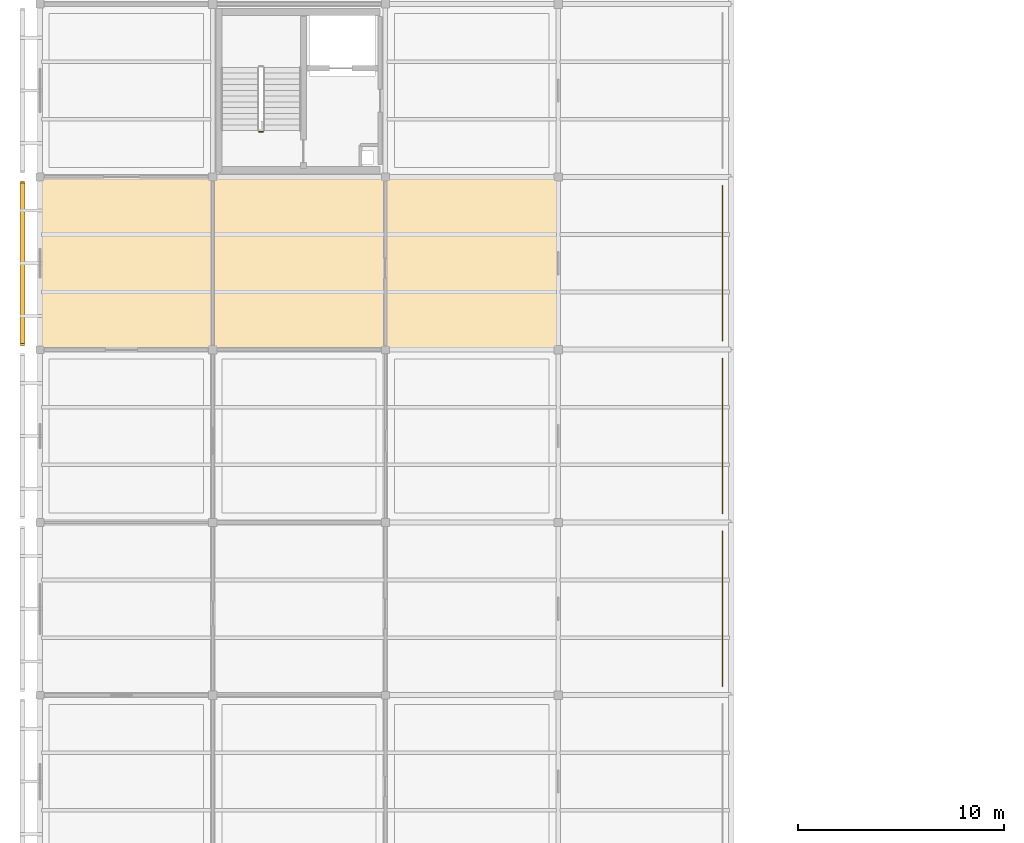
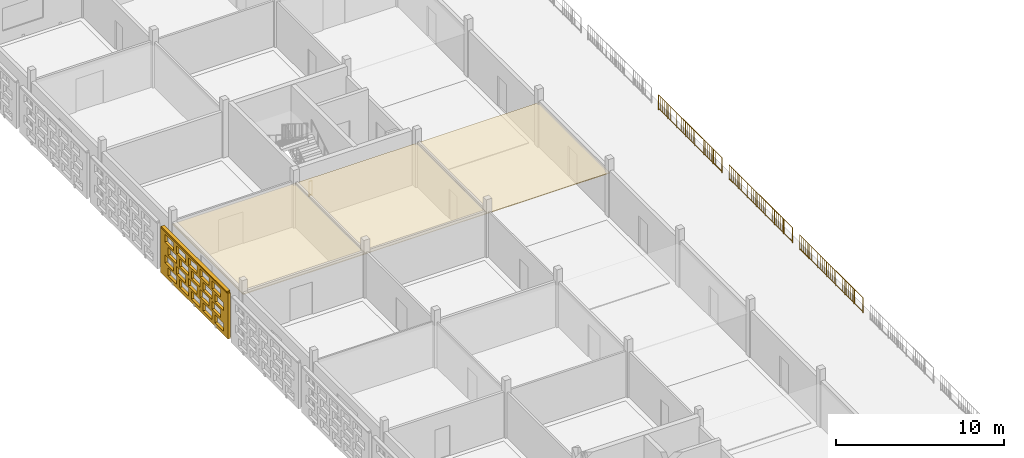
# One storey, part 27 of 31: 4 coverings, 4 railings, 1 shading device, 20 openings.
"""IFC4 building model written with IfcOpenShell, lengths in metres."""

from ifc_helpers import new_model, si_unit, direction, frame, frame_2d, origin, origin_2d, place, context, subcontext, project, spatial, rectangle, circle, extrude, material, layer, layer_set, type_object, element, save


model = new_model("IFC4")

# Units and contexts
model_context = context("Model", 3, precision=1e-05, world=origin(), true_north=direction((0.0, 1.0)))
body_context = subcontext(model_context, "Body", "Model", "MODEL_VIEW")
ifc_project = project(units=[si_unit("LENGTHUNIT", "METRE"), si_unit("AREAUNIT", "SQUARE_METRE"), si_unit("VOLUMEUNIT", "CUBIC_METRE"), si_unit("PLANEANGLEUNIT", "RADIAN"), si_unit("MASSUNIT", "GRAM", prefix="KILO")], contexts=[model_context])

# Site, building, storey
site_placement = place(None, origin())
site = spatial("IfcSite", under=ifc_project, at=site_placement, CompositionType="ELEMENT")
building_placement = place(site_placement, origin())
building = spatial("IfcBuilding", under=site, at=building_placement, Name="Varnapada Polytechnic", CompositionType="ELEMENT")
storey_placement = place(building_placement, frame((0.0, 0.0, 22.199951171875)))
storey = spatial("IfcBuildingStorey", under=building, at=storey_placement, Name="L05", CompositionType="ELEMENT", Elevation=22.199951171875)

# Railing
ifc_material_1 = material(Name="Brushed Stainless Steel 316", Category="steel")
railing_type_1 = type_object("IfcRailingType", Name="Stair Well Guard Rail SGR-01", PredefinedType="BALUSTRADE", material=ifc_material_1)
railing_1_placement = place(storey_placement, frame((10.85009765625, 103.0, 0.0)))
element("IfcRailing", 1, at=railing_1_placement, inside=storey, type_object=railing_type_1, Name="L05 ST-1 stair guard 4", PredefinedType="BALUSTRADE", context=body_context, shape_type="SweptSolid", body=[
    extrude(circle(Radius=0.02392578125, at=origin_2d()), frame((0.0, 0.0, 1.09619140625), z_axis=(-1.0, 0.0, 0.0), x_axis=(0.0, -1.0, 0.0)), (0.0, 0.0, 1.0), 0.2001953125),
    extrude(circle(Radius=0.02392578125, at=origin_2d()), frame((0.0, 0.0, 0.10009765625), z_axis=(-1.0, 0.0, 0.0), x_axis=(0.0, -1.0, 0.0)), (0.0, 0.0, 1.0), 0.2001953125),
    extrude(circle(Radius=0.02099609375, at=origin_2d()), origin(), (0.0, 0.0, 1.0), 1.072021484375),
    extrude(circle(Radius=0.02099609375, at=origin_2d()), frame((-0.2001953125, 0.0, 0.0)), (0.0, 0.0, 1.0), 1.072021484375),
])

# Coverings
ifc_material_2 = material(Name="Mineral Fibre Acoustic Ceiling Tile")
ifc_layer_1 = layer(ifc_material_2, 0.0400390625)
ifc_layer_set_1 = layer_set([ifc_layer_1], Name="Mineral Fibre Acoustic Ceiling Tile")
covering_type_1 = type_object("IfcCoveringType", Name="Suspended Ceiling CLG-01", PredefinedType="CEILING", material=ifc_layer_set_1)
covering_1_placement = place(storey_placement, frame((12.60009765625, 96.60009765625, 3.030029296875), z_axis=(0.0, 0.0, 1.0), x_axis=(1.0, 0.0, 0.0)))
element("IfcCovering", 2, at=covering_1_placement, inside=storey, type_object=covering_type_1, Name="L05 suspended acoustic ceiling (2,12)", PredefinedType="CEILING", context=body_context, shape_type="SweptSolid", body=[
    extrude(rectangle(XDim=8.419921875, YDim=8.419921875, at=origin_2d()), origin(), (0.0, 0.0, 1.0), 0.0400390625),
])
ifc_material_3 = material(Name="Perforated Timber Slatted Baffle Ceiling", Category="wood")
ifc_layer_2 = layer(ifc_material_3, 0.050048828125)
ifc_layer_set_2 = layer_set([ifc_layer_2], Name="Perforated Timber Slatted Baffle Ceiling")
covering_type_2 = type_object("IfcCoveringType", Name="Suspended Ceiling CLG-02", PredefinedType="CEILING", material=ifc_layer_set_2)
covering_2_placement = place(storey_placement, frame((21.0, 96.60009765625, 3.02490234375), z_axis=(0.0, 0.0, 1.0), x_axis=(1.0, 0.0, 0.0)))
element("IfcCovering", 3, at=covering_2_placement, inside=storey, type_object=covering_type_2, Name="L05 suspended acoustic ceiling (3,12)", PredefinedType="CEILING", context=body_context, shape_type="SweptSolid", body=[
    extrude(rectangle(XDim=8.419921875, YDim=8.419921875, at=origin_2d()), origin(), (0.0, 0.0, 1.0), 0.050048828125),
])
ifc_material_4 = material(Name="Deep Acoustic Auditorium Cloud Baffle")
ifc_layer_3 = layer(ifc_material_4, 0.06494140625)
ifc_layer_set_3 = layer_set([ifc_layer_3], Name="Deep Acoustic Auditorium Cloud Baffle")
covering_type_3 = type_object("IfcCoveringType", Name="Suspended Ceiling CLG-07", PredefinedType="CEILING", material=ifc_layer_set_3)
covering_3_placement = place(storey_placement, frame((4.199951171875, 96.60009765625, 3.017578125), z_axis=(0.0, 0.0, 1.0), x_axis=(1.0, 0.0, 0.0)))
element("IfcCovering", 4, at=covering_3_placement, inside=storey, type_object=covering_type_3, Name="L05 suspended acoustic ceiling (1,12)", PredefinedType="CEILING", context=body_context, shape_type="SweptSolid", body=[
    extrude(rectangle(XDim=8.419921875, YDim=8.419921875, at=origin_2d()), origin(), (0.0, 0.0, 1.0), 0.06494140625),
])

# Railings
ifc_material_5 = material(Name="Painted galvanized steel", Category="steel")
railing_type_2 = type_object("IfcRailingType", Name="Terrace Guard Rail GRD-01", PredefinedType="BALUSTRADE", material=ifc_material_5)
railing_2_placement = place(storey_placement, frame((33.179931640625, 76.02001953125, 0.0)))
element("IfcRailing", 5, at=railing_2_placement, inside=storey, type_object=railing_type_2, Name="L05 terrace perimeter guard rail 4", PredefinedType="BALUSTRADE", context=body_context, shape_type="SweptSolid", body=[
    extrude(circle(Radius=0.02392578125, at=origin_2d()), frame((0.0, 0.0, 1.09619140625), z_axis=(0.0, 1.0, 0.0), x_axis=(-1.0, 0.0, 0.0)), (0.0, 0.0, 1.0), 7.56005859375),
    extrude(circle(Radius=0.02392578125, at=origin_2d()), frame((0.0, 0.0, 0.10009765625), z_axis=(0.0, 1.0, 0.0), x_axis=(-1.0, 0.0, 0.0)), (0.0, 0.0, 1.0), 7.56005859375),
    extrude(circle(Radius=0.02099609375, at=origin_2d()), origin(), (0.0, 0.0, 1.0), 1.072021484375),
    extrude(circle(Radius=0.02099609375, at=origin_2d()), frame((0.0, 1.080078125, 0.0)), (0.0, 0.0, 1.0), 1.072021484375),
    extrude(circle(Radius=0.02099609375, at=origin_2d()), frame((0.0, 2.159912109375, 0.0)), (0.0, 0.0, 1.0), 1.072021484375),
    extrude(circle(Radius=0.02099609375, at=origin_2d()), frame((0.0, 3.239990234375, 0.0)), (0.0, 0.0, 1.0), 1.072021484375),
    extrude(circle(Radius=0.02099609375, at=origin_2d()), frame((0.0, 4.320068359375, 0.0)), (0.0, 0.0, 1.0), 1.072021484375),
    extrude(circle(Radius=0.02099609375, at=origin_2d()), frame((0.0, 5.400146484375, 0.0)), (0.0, 0.0, 1.0), 1.072021484375),
    extrude(circle(Radius=0.02099609375, at=origin_2d()), frame((0.0, 6.47998046875, 0.0)), (0.0, 0.0, 1.0), 1.072021484375),
    extrude(circle(Radius=0.02099609375, at=origin_2d()), frame((0.0, 7.56005859375, 0.0)), (0.0, 0.0, 1.0), 1.072021484375),
    extrude(circle(Radius=0.010009765625, at=origin_2d()), frame((0.0, 0.243896484375, 0.10009765625)), (0.0, 0.0, 1.0), 0.971923828125),
    extrude(circle(Radius=0.010009765625, at=origin_2d()), frame((0.0, 0.48779296875, 0.10009765625)), (0.0, 0.0, 1.0), 0.971923828125),
    extrude(circle(Radius=0.010009765625, at=origin_2d()), frame((0.0, 0.731689453125, 0.10009765625)), (0.0, 0.0, 1.0), 0.971923828125),
    extrude(circle(Radius=0.010009765625, at=origin_2d()), frame((0.0, 0.9755859375, 0.10009765625)), (0.0, 0.0, 1.0), 0.971923828125),
    extrude(circle(Radius=0.010009765625, at=origin_2d()), frame((0.0, 1.219482421875, 0.10009765625)), (0.0, 0.0, 1.0), 0.971923828125),
    extrude(circle(Radius=0.010009765625, at=origin_2d()), frame((0.0, 1.463134765625, 0.10009765625)), (0.0, 0.0, 1.0), 0.971923828125),
    extrude(circle(Radius=0.010009765625, at=origin_2d()), frame((0.0, 1.70703125, 0.10009765625)), (0.0, 0.0, 1.0), 0.971923828125),
    extrude(circle(Radius=0.010009765625, at=origin_2d()), frame((0.0, 1.950927734375, 0.10009765625)), (0.0, 0.0, 1.0), 0.971923828125),
    extrude(circle(Radius=0.010009765625, at=origin_2d()), frame((0.0, 2.19482421875, 0.10009765625)), (0.0, 0.0, 1.0), 0.971923828125),
    extrude(circle(Radius=0.010009765625, at=origin_2d()), frame((0.0, 2.438720703125, 0.10009765625)), (0.0, 0.0, 1.0), 0.971923828125),
    extrude(circle(Radius=0.010009765625, at=origin_2d()), frame((0.0, 2.6826171875, 0.10009765625)), (0.0, 0.0, 1.0), 0.971923828125),
    extrude(circle(Radius=0.010009765625, at=origin_2d()), frame((0.0, 2.926513671875, 0.10009765625)), (0.0, 0.0, 1.0), 0.971923828125),
    extrude(circle(Radius=0.010009765625, at=origin_2d()), frame((0.0, 3.17041015625, 0.10009765625)), (0.0, 0.0, 1.0), 0.971923828125),
    extrude(circle(Radius=0.010009765625, at=origin_2d()), frame((0.0, 3.414306640625, 0.10009765625)), (0.0, 0.0, 1.0), 0.971923828125),
    extrude(circle(Radius=0.010009765625, at=origin_2d()), frame((0.0, 3.658203125, 0.10009765625)), (0.0, 0.0, 1.0), 0.971923828125),
    extrude(circle(Radius=0.010009765625, at=origin_2d()), frame((0.0, 3.90185546875, 0.10009765625)), (0.0, 0.0, 1.0), 0.971923828125),
    extrude(circle(Radius=0.010009765625, at=origin_2d()), frame((0.0, 4.145751953125, 0.10009765625)), (0.0, 0.0, 1.0), 0.971923828125),
    extrude(circle(Radius=0.010009765625, at=origin_2d()), frame((0.0, 4.3896484375, 0.10009765625)), (0.0, 0.0, 1.0), 0.971923828125),
    extrude(circle(Radius=0.010009765625, at=origin_2d()), frame((0.0, 4.633544921875, 0.10009765625)), (0.0, 0.0, 1.0), 0.971923828125),
    extrude(circle(Radius=0.010009765625, at=origin_2d()), frame((0.0, 4.87744140625, 0.10009765625)), (0.0, 0.0, 1.0), 0.971923828125),
    extrude(circle(Radius=0.010009765625, at=origin_2d()), frame((0.0, 5.121337890625, 0.10009765625)), (0.0, 0.0, 1.0), 0.971923828125),
    extrude(circle(Radius=0.010009765625, at=origin_2d()), frame((0.0, 5.365234375, 0.10009765625)), (0.0, 0.0, 1.0), 0.971923828125),
    extrude(circle(Radius=0.010009765625, at=origin_2d()), frame((0.0, 5.609130859375, 0.10009765625)), (0.0, 0.0, 1.0), 0.971923828125),
    extrude(circle(Radius=0.010009765625, at=origin_2d()), frame((0.0, 5.85302734375, 0.10009765625)), (0.0, 0.0, 1.0), 0.971923828125),
    extrude(circle(Radius=0.010009765625, at=origin_2d()), frame((0.0, 6.096923828125, 0.10009765625)), (0.0, 0.0, 1.0), 0.971923828125),
    extrude(circle(Radius=0.010009765625, at=origin_2d()), frame((0.0, 6.340576171875, 0.10009765625)), (0.0, 0.0, 1.0), 0.971923828125),
    extrude(circle(Radius=0.010009765625, at=origin_2d()), frame((0.0, 6.58447265625, 0.10009765625)), (0.0, 0.0, 1.0), 0.971923828125),
    extrude(circle(Radius=0.010009765625, at=origin_2d()), frame((0.0, 6.828369140625, 0.10009765625)), (0.0, 0.0, 1.0), 0.971923828125),
    extrude(circle(Radius=0.010009765625, at=origin_2d()), frame((0.0, 7.072265625, 0.10009765625)), (0.0, 0.0, 1.0), 0.971923828125),
    extrude(circle(Radius=0.010009765625, at=origin_2d()), frame((0.0, 7.316162109375, 0.10009765625)), (0.0, 0.0, 1.0), 0.971923828125),
])
railing_3_placement = place(storey_placement, frame((33.179931640625, 84.419921875, 0.0)))
element("IfcRailing", 6, at=railing_3_placement, inside=storey, type_object=railing_type_2, Name="L05 terrace perimeter guard rail 5", PredefinedType="BALUSTRADE", context=body_context, shape_type="SweptSolid", body=[
    extrude(circle(Radius=0.02392578125, at=origin_2d()), frame((0.0, 0.0, 1.09619140625), z_axis=(0.0, 1.0, 0.0), x_axis=(-1.0, 0.0, 0.0)), (0.0, 0.0, 1.0), 7.56005859375),
    extrude(circle(Radius=0.02392578125, at=origin_2d()), frame((0.0, 0.0, 0.10009765625), z_axis=(0.0, 1.0, 0.0), x_axis=(-1.0, 0.0, 0.0)), (0.0, 0.0, 1.0), 7.56005859375),
    extrude(circle(Radius=0.02099609375, at=origin_2d()), origin(), (0.0, 0.0, 1.0), 1.072021484375),
    extrude(circle(Radius=0.02099609375, at=origin_2d()), frame((0.0, 1.080078125, 0.0)), (0.0, 0.0, 1.0), 1.072021484375),
    extrude(circle(Radius=0.02099609375, at=origin_2d()), frame((0.0, 2.159912109375, 0.0)), (0.0, 0.0, 1.0), 1.072021484375),
    extrude(circle(Radius=0.02099609375, at=origin_2d()), frame((0.0, 3.239990234375, 0.0)), (0.0, 0.0, 1.0), 1.072021484375),
    extrude(circle(Radius=0.02099609375, at=origin_2d()), frame((0.0, 4.320068359375, 0.0)), (0.0, 0.0, 1.0), 1.072021484375),
    extrude(circle(Radius=0.02099609375, at=origin_2d()), frame((0.0, 5.400146484375, 0.0)), (0.0, 0.0, 1.0), 1.072021484375),
    extrude(circle(Radius=0.02099609375, at=origin_2d()), frame((0.0, 6.47998046875, 0.0)), (0.0, 0.0, 1.0), 1.072021484375),
    extrude(circle(Radius=0.02099609375, at=origin_2d()), frame((0.0, 7.56005859375, 0.0)), (0.0, 0.0, 1.0), 1.072021484375),
    extrude(circle(Radius=0.010009765625, at=origin_2d()), frame((0.0, 0.243896484375, 0.10009765625)), (0.0, 0.0, 1.0), 0.971923828125),
    extrude(circle(Radius=0.010009765625, at=origin_2d()), frame((0.0, 0.48779296875, 0.10009765625)), (0.0, 0.0, 1.0), 0.971923828125),
    extrude(circle(Radius=0.010009765625, at=origin_2d()), frame((0.0, 0.731689453125, 0.10009765625)), (0.0, 0.0, 1.0), 0.971923828125),
    extrude(circle(Radius=0.010009765625, at=origin_2d()), frame((0.0, 0.9755859375, 0.10009765625)), (0.0, 0.0, 1.0), 0.971923828125),
    extrude(circle(Radius=0.010009765625, at=origin_2d()), frame((0.0, 1.219482421875, 0.10009765625)), (0.0, 0.0, 1.0), 0.971923828125),
    extrude(circle(Radius=0.010009765625, at=origin_2d()), frame((0.0, 1.463134765625, 0.10009765625)), (0.0, 0.0, 1.0), 0.971923828125),
    extrude(circle(Radius=0.010009765625, at=origin_2d()), frame((0.0, 1.70703125, 0.10009765625)), (0.0, 0.0, 1.0), 0.971923828125),
    extrude(circle(Radius=0.010009765625, at=origin_2d()), frame((0.0, 1.950927734375, 0.10009765625)), (0.0, 0.0, 1.0), 0.971923828125),
    extrude(circle(Radius=0.010009765625, at=origin_2d()), frame((0.0, 2.19482421875, 0.10009765625)), (0.0, 0.0, 1.0), 0.971923828125),
    extrude(circle(Radius=0.010009765625, at=origin_2d()), frame((0.0, 2.438720703125, 0.10009765625)), (0.0, 0.0, 1.0), 0.971923828125),
    extrude(circle(Radius=0.010009765625, at=origin_2d()), frame((0.0, 2.6826171875, 0.10009765625)), (0.0, 0.0, 1.0), 0.971923828125),
    extrude(circle(Radius=0.010009765625, at=origin_2d()), frame((0.0, 2.926513671875, 0.10009765625)), (0.0, 0.0, 1.0), 0.971923828125),
    extrude(circle(Radius=0.010009765625, at=origin_2d()), frame((0.0, 3.17041015625, 0.10009765625)), (0.0, 0.0, 1.0), 0.971923828125),
    extrude(circle(Radius=0.010009765625, at=origin_2d()), frame((0.0, 3.414306640625, 0.10009765625)), (0.0, 0.0, 1.0), 0.971923828125),
    extrude(circle(Radius=0.010009765625, at=origin_2d()), frame((0.0, 3.658203125, 0.10009765625)), (0.0, 0.0, 1.0), 0.971923828125),
    extrude(circle(Radius=0.010009765625, at=origin_2d()), frame((0.0, 3.90185546875, 0.10009765625)), (0.0, 0.0, 1.0), 0.971923828125),
    extrude(circle(Radius=0.010009765625, at=origin_2d()), frame((0.0, 4.145751953125, 0.10009765625)), (0.0, 0.0, 1.0), 0.971923828125),
    extrude(circle(Radius=0.010009765625, at=origin_2d()), frame((0.0, 4.3896484375, 0.10009765625)), (0.0, 0.0, 1.0), 0.971923828125),
    extrude(circle(Radius=0.010009765625, at=origin_2d()), frame((0.0, 4.633544921875, 0.10009765625)), (0.0, 0.0, 1.0), 0.971923828125),
    extrude(circle(Radius=0.010009765625, at=origin_2d()), frame((0.0, 4.87744140625, 0.10009765625)), (0.0, 0.0, 1.0), 0.971923828125),
    extrude(circle(Radius=0.010009765625, at=origin_2d()), frame((0.0, 5.121337890625, 0.10009765625)), (0.0, 0.0, 1.0), 0.971923828125),
    extrude(circle(Radius=0.010009765625, at=origin_2d()), frame((0.0, 5.365234375, 0.10009765625)), (0.0, 0.0, 1.0), 0.971923828125),
    extrude(circle(Radius=0.010009765625, at=origin_2d()), frame((0.0, 5.609130859375, 0.10009765625)), (0.0, 0.0, 1.0), 0.971923828125),
    extrude(circle(Radius=0.010009765625, at=origin_2d()), frame((0.0, 5.85302734375, 0.10009765625)), (0.0, 0.0, 1.0), 0.971923828125),
    extrude(circle(Radius=0.010009765625, at=origin_2d()), frame((0.0, 6.096923828125, 0.10009765625)), (0.0, 0.0, 1.0), 0.971923828125),
    extrude(circle(Radius=0.010009765625, at=origin_2d()), frame((0.0, 6.340576171875, 0.10009765625)), (0.0, 0.0, 1.0), 0.971923828125),
    extrude(circle(Radius=0.010009765625, at=origin_2d()), frame((0.0, 6.58447265625, 0.10009765625)), (0.0, 0.0, 1.0), 0.971923828125),
    extrude(circle(Radius=0.010009765625, at=origin_2d()), frame((0.0, 6.828369140625, 0.10009765625)), (0.0, 0.0, 1.0), 0.971923828125),
    extrude(circle(Radius=0.010009765625, at=origin_2d()), frame((0.0, 7.072265625, 0.10009765625)), (0.0, 0.0, 1.0), 0.971923828125),
    extrude(circle(Radius=0.010009765625, at=origin_2d()), frame((0.0, 7.316162109375, 0.10009765625)), (0.0, 0.0, 1.0), 0.971923828125),
])
railing_4_placement = place(storey_placement, frame((33.179931640625, 92.820068359375, 0.0)))
element("IfcRailing", 7, at=railing_4_placement, inside=storey, type_object=railing_type_2, Name="L05 terrace perimeter guard rail 6", PredefinedType="BALUSTRADE", context=body_context, shape_type="SweptSolid", body=[
    extrude(circle(Radius=0.02392578125, at=origin_2d()), frame((0.0, 0.0, 1.09619140625), z_axis=(0.0, 1.0, 0.0), x_axis=(-1.0, 0.0, 0.0)), (0.0, 0.0, 1.0), 7.559814453125),
    extrude(circle(Radius=0.02392578125, at=origin_2d()), frame((0.0, 0.0, 0.10009765625), z_axis=(0.0, 1.0, 0.0), x_axis=(-1.0, 0.0, 0.0)), (0.0, 0.0, 1.0), 7.559814453125),
    extrude(circle(Radius=0.02099609375, at=origin_2d()), origin(), (0.0, 0.0, 1.0), 1.072021484375),
    extrude(circle(Radius=0.02099609375, at=origin_2d()), frame((0.0, 1.080078125, 0.0)), (0.0, 0.0, 1.0), 1.072021484375),
    extrude(circle(Radius=0.02099609375, at=origin_2d()), frame((0.0, 2.159912109375, 0.0)), (0.0, 0.0, 1.0), 1.072021484375),
    extrude(circle(Radius=0.02099609375, at=origin_2d()), frame((0.0, 3.239990234375, 0.0)), (0.0, 0.0, 1.0), 1.072021484375),
    extrude(circle(Radius=0.02099609375, at=origin_2d()), frame((0.0, 4.31982421875, 0.0)), (0.0, 0.0, 1.0), 1.072021484375),
    extrude(circle(Radius=0.02099609375, at=origin_2d()), frame((0.0, 5.39990234375, 0.0)), (0.0, 0.0, 1.0), 1.072021484375),
    extrude(circle(Radius=0.02099609375, at=origin_2d()), frame((0.0, 6.479736328125, 0.0)), (0.0, 0.0, 1.0), 1.072021484375),
    extrude(circle(Radius=0.02099609375, at=origin_2d()), frame((0.0, 7.559814453125, 0.0)), (0.0, 0.0, 1.0), 1.072021484375),
    extrude(circle(Radius=0.010009765625, at=origin_2d()), frame((0.0, 0.243896484375, 0.10009765625)), (0.0, 0.0, 1.0), 0.971923828125),
    extrude(circle(Radius=0.010009765625, at=origin_2d()), frame((0.0, 0.48779296875, 0.10009765625)), (0.0, 0.0, 1.0), 0.971923828125),
    extrude(circle(Radius=0.010009765625, at=origin_2d()), frame((0.0, 0.731689453125, 0.10009765625)), (0.0, 0.0, 1.0), 0.971923828125),
    extrude(circle(Radius=0.010009765625, at=origin_2d()), frame((0.0, 0.975341796875, 0.10009765625)), (0.0, 0.0, 1.0), 0.971923828125),
    extrude(circle(Radius=0.010009765625, at=origin_2d()), frame((0.0, 1.21923828125, 0.10009765625)), (0.0, 0.0, 1.0), 0.971923828125),
    extrude(circle(Radius=0.010009765625, at=origin_2d()), frame((0.0, 1.463134765625, 0.10009765625)), (0.0, 0.0, 1.0), 0.971923828125),
    extrude(circle(Radius=0.010009765625, at=origin_2d()), frame((0.0, 1.70703125, 0.10009765625)), (0.0, 0.0, 1.0), 0.971923828125),
    extrude(circle(Radius=0.010009765625, at=origin_2d()), frame((0.0, 1.950927734375, 0.10009765625)), (0.0, 0.0, 1.0), 0.971923828125),
    extrude(circle(Radius=0.010009765625, at=origin_2d()), frame((0.0, 2.19482421875, 0.10009765625)), (0.0, 0.0, 1.0), 0.971923828125),
    extrude(circle(Radius=0.010009765625, at=origin_2d()), frame((0.0, 2.438720703125, 0.10009765625)), (0.0, 0.0, 1.0), 0.971923828125),
    extrude(circle(Radius=0.010009765625, at=origin_2d()), frame((0.0, 2.6826171875, 0.10009765625)), (0.0, 0.0, 1.0), 0.971923828125),
    extrude(circle(Radius=0.010009765625, at=origin_2d()), frame((0.0, 2.92626953125, 0.10009765625)), (0.0, 0.0, 1.0), 0.971923828125),
    extrude(circle(Radius=0.010009765625, at=origin_2d()), frame((0.0, 3.170166015625, 0.10009765625)), (0.0, 0.0, 1.0), 0.971923828125),
    extrude(circle(Radius=0.010009765625, at=origin_2d()), frame((0.0, 3.4140625, 0.10009765625)), (0.0, 0.0, 1.0), 0.971923828125),
    extrude(circle(Radius=0.010009765625, at=origin_2d()), frame((0.0, 3.657958984375, 0.10009765625)), (0.0, 0.0, 1.0), 0.971923828125),
    extrude(circle(Radius=0.010009765625, at=origin_2d()), frame((0.0, 3.90185546875, 0.10009765625)), (0.0, 0.0, 1.0), 0.971923828125),
    extrude(circle(Radius=0.010009765625, at=origin_2d()), frame((0.0, 4.145751953125, 0.10009765625)), (0.0, 0.0, 1.0), 0.971923828125),
    extrude(circle(Radius=0.010009765625, at=origin_2d()), frame((0.0, 4.3896484375, 0.10009765625)), (0.0, 0.0, 1.0), 0.971923828125),
    extrude(circle(Radius=0.010009765625, at=origin_2d()), frame((0.0, 4.633544921875, 0.10009765625)), (0.0, 0.0, 1.0), 0.971923828125),
    extrude(circle(Radius=0.010009765625, at=origin_2d()), frame((0.0, 4.877197265625, 0.10009765625)), (0.0, 0.0, 1.0), 0.971923828125),
    extrude(circle(Radius=0.010009765625, at=origin_2d()), frame((0.0, 5.12109375, 0.10009765625)), (0.0, 0.0, 1.0), 0.971923828125),
    extrude(circle(Radius=0.010009765625, at=origin_2d()), frame((0.0, 5.364990234375, 0.10009765625)), (0.0, 0.0, 1.0), 0.971923828125),
    extrude(circle(Radius=0.010009765625, at=origin_2d()), frame((0.0, 5.60888671875, 0.10009765625)), (0.0, 0.0, 1.0), 0.971923828125),
    extrude(circle(Radius=0.010009765625, at=origin_2d()), frame((0.0, 5.852783203125, 0.10009765625)), (0.0, 0.0, 1.0), 0.971923828125),
    extrude(circle(Radius=0.010009765625, at=origin_2d()), frame((0.0, 6.0966796875, 0.10009765625)), (0.0, 0.0, 1.0), 0.971923828125),
    extrude(circle(Radius=0.010009765625, at=origin_2d()), frame((0.0, 6.340576171875, 0.10009765625)), (0.0, 0.0, 1.0), 0.971923828125),
    extrude(circle(Radius=0.010009765625, at=origin_2d()), frame((0.0, 6.58447265625, 0.10009765625)), (0.0, 0.0, 1.0), 0.971923828125),
    extrude(circle(Radius=0.010009765625, at=origin_2d()), frame((0.0, 6.828125, 0.10009765625)), (0.0, 0.0, 1.0), 0.971923828125),
    extrude(circle(Radius=0.010009765625, at=origin_2d()), frame((0.0, 7.072021484375, 0.10009765625)), (0.0, 0.0, 1.0), 0.971923828125),
    extrude(circle(Radius=0.010009765625, at=origin_2d()), frame((0.0, 7.31591796875, 0.10009765625)), (0.0, 0.0, 1.0), 0.971923828125),
])

# Covering, openings
ifc_material_6 = material(Name="Earth-toned architectural terracotta screen block", Category="masonry")
ifc_layer_4 = layer(ifc_material_6, 0.1201171875)
ifc_layer_set_4 = layer_set([ifc_layer_4], Name="Earth-toned architectural terracotta screen block")
covering_type_4 = type_object("IfcCoveringType", Name="Terracotta Screen Cladding CLD-01", PredefinedType="CLADDING", material=ifc_layer_set_4)
covering_4_placement = place(storey_placement, frame((-0.85009765625, 92.590087890625, 0.0), z_axis=(0.0, 0.0, 1.0), x_axis=(0.0, 1.0, 0.0)))
covering_4 = element("IfcCovering", 8, at=covering_4_placement, inside=storey, type_object=covering_type_4, Name="L05 perforated terracotta block screen (7)", PredefinedType="CLADDING", context=body_context, shape_type="SweptSolid", body=[
    extrude(rectangle(XDim=8.02001953125, YDim=0.179931640625, at=frame_2d((4.010009765625, 0.0))), origin(), (0.0, 0.0, 1.0), 3.320068359375),
])
opening_1_placement = place(covering_4_placement, frame((0.510009765625, 0.0, 0.265625)))
element("IfcOpeningElement", 9, at=opening_1_placement, cuts=covering_4, Name="Screen perforation TBS-L05-006.1", PredefinedType="OPENING", context=body_context, shape_type="SweptSolid", body=[
    extrude(rectangle(XDim=1.0400390625, YDim=0.5810546875, at=frame_2d((0.52001953125, 0.29052734375))), frame((0.0, 0.099853515625, 0.0), z_axis=(0.0, -1.0, 0.0), x_axis=(1.0, 0.0, 0.0)), (0.0, 0.0, 1.0), 0.199951171875),
])
opening_2_placement = place(covering_4_placement, frame((1.909912109375, 0.0, 0.265625)))
element("IfcOpeningElement", 10, at=opening_2_placement, cuts=covering_4, Name="Screen perforation TBS-L05-006.2", PredefinedType="OPENING", context=body_context, shape_type="SweptSolid", body=[
    extrude(rectangle(XDim=1.0400390625, YDim=0.5810546875, at=frame_2d((0.52001953125, 0.29052734375))), frame((0.0, 0.099853515625, 0.0), z_axis=(0.0, -1.0, 0.0), x_axis=(1.0, 0.0, 0.0)), (0.0, 0.0, 1.0), 0.199951171875),
])
opening_3_placement = place(covering_4_placement, frame((3.31005859375, 0.0, 0.265625)))
element("IfcOpeningElement", 11, at=opening_3_placement, cuts=covering_4, Name="Screen perforation TBS-L05-006.3", PredefinedType="OPENING", context=body_context, shape_type="SweptSolid", body=[
    extrude(rectangle(XDim=1.0400390625, YDim=0.5810546875, at=frame_2d((0.52001953125, 0.29052734375))), frame((0.0, 0.099853515625, 0.0), z_axis=(0.0, -1.0, 0.0), x_axis=(1.0, 0.0, 0.0)), (0.0, 0.0, 1.0), 0.199951171875),
])
opening_4_placement = place(covering_4_placement, frame((4.7099609375, 0.0, 0.265625)))
element("IfcOpeningElement", 12, at=opening_4_placement, cuts=covering_4, Name="Screen perforation TBS-L05-006.4", PredefinedType="OPENING", context=body_context, shape_type="SweptSolid", body=[
    extrude(rectangle(XDim=1.0400390625, YDim=0.5810546875, at=frame_2d((0.52001953125, 0.29052734375))), frame((0.0, 0.099853515625, 0.0), z_axis=(0.0, -1.0, 0.0), x_axis=(1.0, 0.0, 0.0)), (0.0, 0.0, 1.0), 0.199951171875),
])
opening_5_placement = place(covering_4_placement, frame((6.110107421875, 0.0, 0.265625)))
element("IfcOpeningElement", 13, at=opening_5_placement, cuts=covering_4, Name="Screen perforation TBS-L05-006.5", PredefinedType="OPENING", context=body_context, shape_type="SweptSolid", body=[
    extrude(rectangle(XDim=1.0400390625, YDim=0.5810546875, at=frame_2d((0.52001953125, 0.29052734375))), frame((0.0, 0.099853515625, 0.0), z_axis=(0.0, -1.0, 0.0), x_axis=(1.0, 0.0, 0.0)), (0.0, 0.0, 1.0), 0.199951171875),
])
opening_6_placement = place(covering_4_placement, frame((0.8701171875, 0.0, 1.0126953125)))
element("IfcOpeningElement", 14, at=opening_6_placement, cuts=covering_4, Name="Screen perforation TBS-L05-006.6", PredefinedType="OPENING", context=body_context, shape_type="SweptSolid", body=[
    extrude(rectangle(XDim=1.0400390625, YDim=0.5810546875, at=frame_2d((0.52001953125, 0.29052734375))), frame((0.0, 0.099853515625, 0.0), z_axis=(0.0, -1.0, 0.0), x_axis=(1.0, 0.0, 0.0)), (0.0, 0.0, 1.0), 0.199951171875),
])
opening_7_placement = place(covering_4_placement, frame((2.27001953125, 0.0, 1.0126953125)))
element("IfcOpeningElement", 15, at=opening_7_placement, cuts=covering_4, Name="Screen perforation TBS-L05-006.7", PredefinedType="OPENING", context=body_context, shape_type="SweptSolid", body=[
    extrude(rectangle(XDim=1.0400390625, YDim=0.5810546875, at=frame_2d((0.52001953125, 0.29052734375))), frame((0.0, 0.099853515625, 0.0), z_axis=(0.0, -1.0, 0.0), x_axis=(1.0, 0.0, 0.0)), (0.0, 0.0, 1.0), 0.199951171875),
])
opening_8_placement = place(covering_4_placement, frame((3.669921875, 0.0, 1.0126953125)))
element("IfcOpeningElement", 16, at=opening_8_placement, cuts=covering_4, Name="Screen perforation TBS-L05-006.8", PredefinedType="OPENING", context=body_context, shape_type="SweptSolid", body=[
    extrude(rectangle(XDim=1.0400390625, YDim=0.5810546875, at=frame_2d((0.52001953125, 0.29052734375))), frame((0.0, 0.099853515625, 0.0), z_axis=(0.0, -1.0, 0.0), x_axis=(1.0, 0.0, 0.0)), (0.0, 0.0, 1.0), 0.199951171875),
])
opening_9_placement = place(covering_4_placement, frame((5.070068359375, 0.0, 1.0126953125)))
element("IfcOpeningElement", 17, at=opening_9_placement, cuts=covering_4, Name="Screen perforation TBS-L05-006.9", PredefinedType="OPENING", context=body_context, shape_type="SweptSolid", body=[
    extrude(rectangle(XDim=1.0400390625, YDim=0.5810546875, at=frame_2d((0.52001953125, 0.29052734375))), frame((0.0, 0.099853515625, 0.0), z_axis=(0.0, -1.0, 0.0), x_axis=(1.0, 0.0, 0.0)), (0.0, 0.0, 1.0), 0.199951171875),
])
opening_10_placement = place(covering_4_placement, frame((6.469970703125, 0.0, 1.0126953125)))
element("IfcOpeningElement", 18, at=opening_10_placement, cuts=covering_4, Name="Screen perforation TBS-L05-006.10", PredefinedType="OPENING", context=body_context, shape_type="SweptSolid", body=[
    extrude(rectangle(XDim=1.0400390625, YDim=0.5810546875, at=frame_2d((0.52001953125, 0.29052734375))), frame((0.0, 0.099853515625, 0.0), z_axis=(0.0, -1.0, 0.0), x_axis=(1.0, 0.0, 0.0)), (0.0, 0.0, 1.0), 0.199951171875),
])
opening_11_placement = place(covering_4_placement, frame((0.510009765625, 0.0, 1.759521484375)))
element("IfcOpeningElement", 19, at=opening_11_placement, cuts=covering_4, Name="Screen perforation TBS-L05-006.11", PredefinedType="OPENING", context=body_context, shape_type="SweptSolid", body=[
    extrude(rectangle(XDim=1.0400390625, YDim=0.5810546875, at=frame_2d((0.52001953125, 0.29052734375))), frame((0.0, 0.099853515625, 0.0), z_axis=(0.0, -1.0, 0.0), x_axis=(1.0, 0.0, 0.0)), (0.0, 0.0, 1.0), 0.199951171875),
])
opening_12_placement = place(covering_4_placement, frame((1.909912109375, 0.0, 1.759521484375)))
element("IfcOpeningElement", 20, at=opening_12_placement, cuts=covering_4, Name="Screen perforation TBS-L05-006.12", PredefinedType="OPENING", context=body_context, shape_type="SweptSolid", body=[
    extrude(rectangle(XDim=1.0400390625, YDim=0.5810546875, at=frame_2d((0.52001953125, 0.29052734375))), frame((0.0, 0.099853515625, 0.0), z_axis=(0.0, -1.0, 0.0), x_axis=(1.0, 0.0, 0.0)), (0.0, 0.0, 1.0), 0.199951171875),
])
opening_13_placement = place(covering_4_placement, frame((3.31005859375, 0.0, 1.759521484375)))
element("IfcOpeningElement", 21, at=opening_13_placement, cuts=covering_4, Name="Screen perforation TBS-L05-006.13", PredefinedType="OPENING", context=body_context, shape_type="SweptSolid", body=[
    extrude(rectangle(XDim=1.0400390625, YDim=0.5810546875, at=frame_2d((0.52001953125, 0.29052734375))), frame((0.0, 0.099853515625, 0.0), z_axis=(0.0, -1.0, 0.0), x_axis=(1.0, 0.0, 0.0)), (0.0, 0.0, 1.0), 0.199951171875),
])
opening_14_placement = place(covering_4_placement, frame((4.7099609375, 0.0, 1.759521484375)))
element("IfcOpeningElement", 22, at=opening_14_placement, cuts=covering_4, Name="Screen perforation TBS-L05-006.14", PredefinedType="OPENING", context=body_context, shape_type="SweptSolid", body=[
    extrude(rectangle(XDim=1.0400390625, YDim=0.5810546875, at=frame_2d((0.52001953125, 0.29052734375))), frame((0.0, 0.099853515625, 0.0), z_axis=(0.0, -1.0, 0.0), x_axis=(1.0, 0.0, 0.0)), (0.0, 0.0, 1.0), 0.199951171875),
])
opening_15_placement = place(covering_4_placement, frame((6.110107421875, 0.0, 1.759521484375)))
element("IfcOpeningElement", 23, at=opening_15_placement, cuts=covering_4, Name="Screen perforation TBS-L05-006.15", PredefinedType="OPENING", context=body_context, shape_type="SweptSolid", body=[
    extrude(rectangle(XDim=1.0400390625, YDim=0.5810546875, at=frame_2d((0.52001953125, 0.29052734375))), frame((0.0, 0.099853515625, 0.0), z_axis=(0.0, -1.0, 0.0), x_axis=(1.0, 0.0, 0.0)), (0.0, 0.0, 1.0), 0.199951171875),
])
opening_16_placement = place(covering_4_placement, frame((0.8701171875, 0.0, 2.506591796875)))
element("IfcOpeningElement", 24, at=opening_16_placement, cuts=covering_4, Name="Screen perforation TBS-L05-006.16", PredefinedType="OPENING", context=body_context, shape_type="SweptSolid", body=[
    extrude(rectangle(XDim=1.0400390625, YDim=0.5810546875, at=frame_2d((0.52001953125, 0.29052734375))), frame((0.0, 0.099853515625, 0.0), z_axis=(0.0, -1.0, 0.0), x_axis=(1.0, 0.0, 0.0)), (0.0, 0.0, 1.0), 0.199951171875),
])
opening_17_placement = place(covering_4_placement, frame((2.27001953125, 0.0, 2.506591796875)))
element("IfcOpeningElement", 25, at=opening_17_placement, cuts=covering_4, Name="Screen perforation TBS-L05-006.17", PredefinedType="OPENING", context=body_context, shape_type="SweptSolid", body=[
    extrude(rectangle(XDim=1.0400390625, YDim=0.5810546875, at=frame_2d((0.52001953125, 0.29052734375))), frame((0.0, 0.099853515625, 0.0), z_axis=(0.0, -1.0, 0.0), x_axis=(1.0, 0.0, 0.0)), (0.0, 0.0, 1.0), 0.199951171875),
])
opening_18_placement = place(covering_4_placement, frame((3.669921875, 0.0, 2.506591796875)))
element("IfcOpeningElement", 26, at=opening_18_placement, cuts=covering_4, Name="Screen perforation TBS-L05-006.18", PredefinedType="OPENING", context=body_context, shape_type="SweptSolid", body=[
    extrude(rectangle(XDim=1.0400390625, YDim=0.5810546875, at=frame_2d((0.52001953125, 0.29052734375))), frame((0.0, 0.099853515625, 0.0), z_axis=(0.0, -1.0, 0.0), x_axis=(1.0, 0.0, 0.0)), (0.0, 0.0, 1.0), 0.199951171875),
])
opening_19_placement = place(covering_4_placement, frame((5.070068359375, 0.0, 2.506591796875)))
element("IfcOpeningElement", 27, at=opening_19_placement, cuts=covering_4, Name="Screen perforation TBS-L05-006.19", PredefinedType="OPENING", context=body_context, shape_type="SweptSolid", body=[
    extrude(rectangle(XDim=1.0400390625, YDim=0.5810546875, at=frame_2d((0.52001953125, 0.29052734375))), frame((0.0, 0.099853515625, 0.0), z_axis=(0.0, -1.0, 0.0), x_axis=(1.0, 0.0, 0.0)), (0.0, 0.0, 1.0), 0.199951171875),
])
opening_20_placement = place(covering_4_placement, frame((6.469970703125, 0.0, 2.506591796875)))
element("IfcOpeningElement", 28, at=opening_20_placement, cuts=covering_4, Name="Screen perforation TBS-L05-006.20", PredefinedType="OPENING", context=body_context, shape_type="SweptSolid", body=[
    extrude(rectangle(XDim=1.0400390625, YDim=0.5810546875, at=frame_2d((0.52001953125, 0.29052734375))), frame((0.0, 0.099853515625, 0.0), z_axis=(0.0, -1.0, 0.0), x_axis=(1.0, 0.0, 0.0)), (0.0, 0.0, 1.0), 0.199951171875),
])

# Shading device
ifc_layer_5 = layer(ifc_material_6, 0.179931640625)
ifc_layer_set_5 = layer_set([ifc_layer_5], Name="Earth-toned architectural terracotta screen block")
shading_device_type = type_object("IfcShadingDeviceType", Name="Terracotta Screen SCR-01", PredefinedType="USERDEFINED", material=ifc_layer_set_5)
shading_device_placement = place(storey_placement, frame((-0.85009765625, 96.60009765625, 3.31005859375), z_axis=(0.0, 0.0, 1.0), x_axis=(0.0, 1.0, 0.0)))
element("IfcShadingDevice", 29, at=shading_device_placement, inside=storey, type_object=shading_device_type, Name="L05 perforated terracotta screen hood 482", ObjectType="SCREEN", PredefinedType="USERDEFINED", context=body_context, shape_type="SweptSolid", body=[
    extrude(rectangle(XDim=7.820068359375, YDim=0.239990234375, at=origin_2d()), origin(), (0.0, 0.0, 1.0), 0.10009765625),
])

save(model, "model.ifc")
